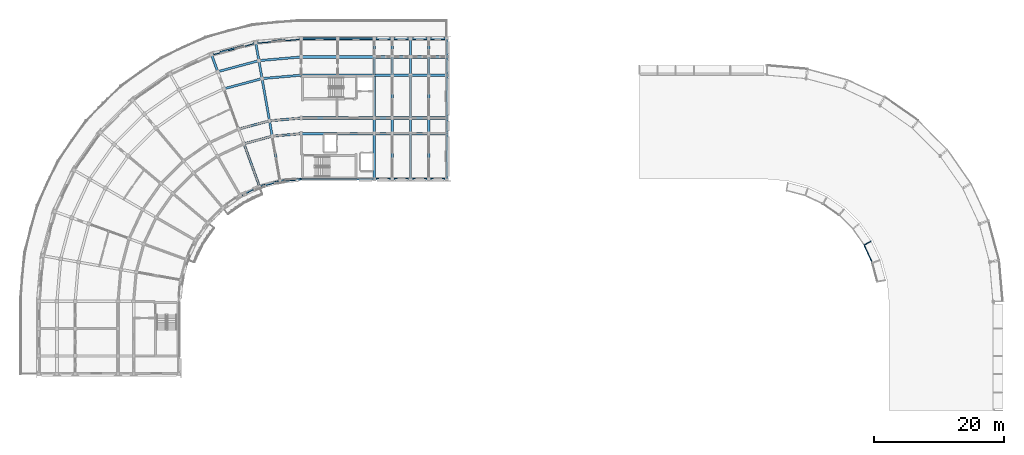
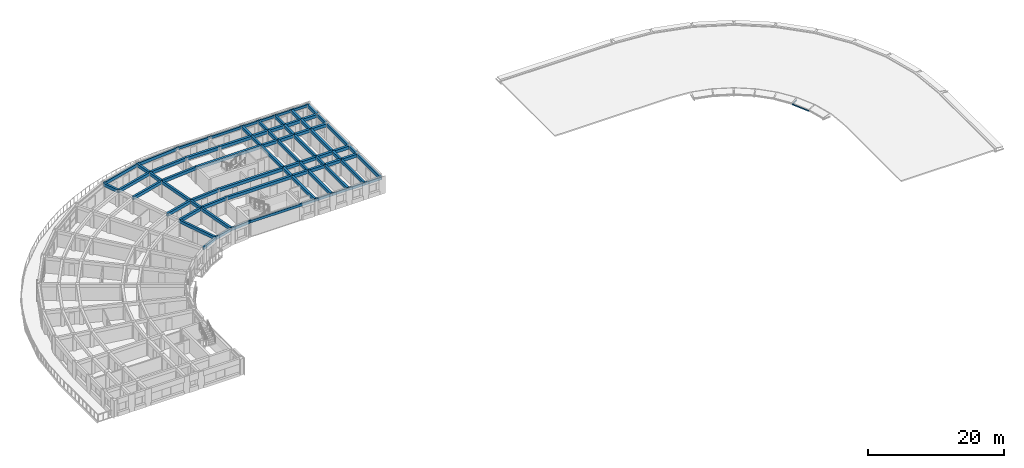
# One storey, part 4 of 23: 78 beams, 1 member.
"""IFC4 building model written with IfcOpenShell, lengths in metres."""

from ifc_helpers import new_model, si_unit, direction, frame, origin, origin_2d, place, context, subcontext, project, spatial, rectangle, hollow_rectangle, i_section, extrude, material, material_profile, profile_set, type_object, element, save


model = new_model("IFC4")

# Units and contexts
model_context = context("Model", 3, precision=1e-05, world=origin(), true_north=direction((0.0, 1.0)))
body_context = subcontext(model_context, "Body", "Model", "MODEL_VIEW")
ifc_project = project(units=[si_unit("LENGTHUNIT", "METRE"), si_unit("AREAUNIT", "SQUARE_METRE"), si_unit("VOLUMEUNIT", "CUBIC_METRE"), si_unit("PLANEANGLEUNIT", "RADIAN"), si_unit("MASSUNIT", "GRAM", prefix="KILO")], contexts=[model_context])

# Site, building, storey
site_placement = place(None, origin())
site = spatial("IfcSite", under=ifc_project, at=site_placement, CompositionType="ELEMENT")
building_placement = place(site_placement, origin())
building = spatial("IfcBuilding", under=site, at=building_placement, Name="Kiranvali Square Residences", CompositionType="ELEMENT")
storey_placement = place(building_placement, frame((0.0, 0.0, 43.35009765625)))
storey = spatial("IfcBuildingStorey", under=building, at=storey_placement, Name="L13", CompositionType="ELEMENT", Elevation=43.35009765625)

# Beams
ifc_material_1 = material(Name="Concrete M40 (40 MPa)", Category="concrete")
ifc_material_profile_1 = material_profile(ifc_material_1, rectangle(XDim=0.35009765625, YDim=0.550048828125, at=origin_2d()), Name="RC 350x550")
ifc_profile_set_1 = profile_set([ifc_material_profile_1], Name="Concrete M40 (40 MPa)")
beam_type_1 = type_object("IfcBeamType", Name="BM-M40-350x550", PredefinedType="BEAM", material=ifc_profile_set_1)
beam_1_placement = place(storey_placement, frame((48.199951171875, 113.60009765625, 2.65478515625), z_axis=(-0.996191949488, -0.087187153726, 0.0), x_axis=(0.087187153726, -0.996191949488, 0.0)))
element("IfcBeam", 1, at=beam_1_placement, inside=storey, type_object=beam_type_1, Name="L13 beam BM-A-L13-C00-R1", PredefinedType="BEAM", context=body_context, shape_type="SweptSolid", body=[
    extrude(rectangle(XDim=0.35009765625, YDim=0.550048828125, at=origin_2d()), origin(), (0.0, 0.0, 1.0), 4.4970703125),
])
beam_2_placement = place(storey_placement, frame((48.199951171875, 116.0, 2.65478515625), z_axis=(-0.996193663584, -0.087167566415, 0.0), x_axis=(0.087167566415, -0.996193663584, 0.0)))
element("IfcBeam", 2, at=beam_2_placement, inside=storey, type_object=beam_type_1, Name="L13 beam BM-A-L13-C00-R2", PredefinedType="BEAM", context=body_context, shape_type="SweptSolid", body=[
    extrude(rectangle(XDim=0.35009765625, YDim=0.550048828125, at=origin_2d()), origin(), (0.0, 0.0, 1.0), 4.91552734375),
])
beam_3_placement = place(storey_placement, frame((48.199951171875, 122.60009765625, 2.65478515625), z_axis=(-0.996193018494, -0.087174938512, 0.0), x_axis=(0.087174938512, -0.996193018494, 0.0)))
element("IfcBeam", 3, at=beam_3_placement, inside=storey, type_object=beam_type_1, Name="L13 beam BM-A-L13-C00-R3", PredefinedType="BEAM", context=body_context, shape_type="SweptSolid", body=[
    extrude(rectangle(XDim=0.35009765625, YDim=0.550048828125, at=origin_2d()), origin(), (0.0, 0.0, 1.0), 6.066162109375),
])
beam_4_placement = place(storey_placement, frame((48.199951171875, 125.39990234375, 2.65478515625), z_axis=(-0.996196991902, -0.0871295204, 0.0), x_axis=(0.0871295204, -0.996196991902, 0.0)))
element("IfcBeam", 4, at=beam_4_placement, inside=storey, type_object=beam_type_1, Name="L13 beam BM-A-L13-C00-R4", PredefinedType="BEAM", context=body_context, shape_type="SweptSolid", body=[
    extrude(rectangle(XDim=0.35009765625, YDim=0.550048828125, at=origin_2d()), origin(), (0.0, 0.0, 1.0), 6.553955078125),
])
beam_5_placement = place(storey_placement, frame((43.719970703125, 113.2080078125, 2.65478515625), z_axis=(-0.965934240054, -0.258787642463, 0.0), x_axis=(0.258787642463, -0.965934240054, 0.0)))
element("IfcBeam", 5, at=beam_5_placement, inside=storey, type_object=beam_type_1, Name="L13 beam BM-A-L13-C01-R1", PredefinedType="BEAM", context=body_context, shape_type="SweptSolid", body=[
    extrude(rectangle(XDim=0.35009765625, YDim=0.550048828125, at=origin_2d()), origin(), (0.0, 0.0, 1.0), 4.497314453125),
])
beam_6_placement = place(storey_placement, frame((43.30322265625, 115.571533203125, 2.65478515625), z_axis=(-0.965930095386, -0.258803112091, 0.0), x_axis=(0.258803112091, -0.965930095386, 0.0)))
element("IfcBeam", 6, at=beam_6_placement, inside=storey, type_object=beam_type_1, Name="L13 beam BM-A-L13-C01-R2", PredefinedType="BEAM", context=body_context, shape_type="SweptSolid", body=[
    extrude(rectangle(XDim=0.35009765625, YDim=0.550048828125, at=origin_2d()), origin(), (0.0, 0.0, 1.0), 4.915771484375),
])
beam_7_placement = place(storey_placement, frame((42.156982421875, 122.0712890625, 2.65478515625), z_axis=(-0.965923618901, -0.258827283048, 0.0), x_axis=(0.258827283048, -0.965923618901, 0.0)))
element("IfcBeam", 7, at=beam_7_placement, inside=storey, type_object=beam_type_1, Name="L13 beam BM-A-L13-C01-R3", PredefinedType="BEAM", context=body_context, shape_type="SweptSolid", body=[
    extrude(rectangle(XDim=0.35009765625, YDim=0.550048828125, at=origin_2d()), origin(), (0.0, 0.0, 1.0), 6.066162109375),
])
beam_8_placement = place(storey_placement, frame((41.6708984375, 124.828857421875, 2.65478515625), z_axis=(-0.965918287583, -0.258847178297, 0.0), x_axis=(0.258847178297, -0.965918287583, 0.0)))
element("IfcBeam", 8, at=beam_8_placement, inside=storey, type_object=beam_type_1, Name="L13 beam BM-A-L13-C01-R4", PredefinedType="BEAM", context=body_context, shape_type="SweptSolid", body=[
    extrude(rectangle(XDim=0.35009765625, YDim=0.550048828125, at=origin_2d()), origin(), (0.0, 0.0, 1.0), 6.55419921875),
])
beam_9_placement = place(storey_placement, frame((44.935302734375, 106.314453125, 2.65478515625), z_axis=(-0.173622177865, 0.984812337125, 0.0), x_axis=(-0.984812337125, -0.173622177865, 0.0)))
element("IfcBeam", 9, at=beam_9_placement, inside=storey, type_object=beam_type_1, Name="L13 beam BM-A-L13-RAD01-01", PredefinedType="BEAM", context=body_context, shape_type="SweptSolid", body=[
    extrude(rectangle(XDim=0.35009765625, YDim=0.550048828125, at=origin_2d()), origin(), (0.0, 0.0, 1.0), 6.999755859375),
])
beam_10_placement = place(storey_placement, frame((43.719970703125, 113.2080078125, 2.65478515625), z_axis=(-0.173646056486, 0.984808127031, 0.0), x_axis=(-0.984808127031, -0.173646056486, 0.0)))
element("IfcBeam", 10, at=beam_10_placement, inside=storey, type_object=beam_type_1, Name="L13 beam BM-A-L13-RAD01-12", PredefinedType="BEAM", context=body_context, shape_type="SweptSolid", body=[
    extrude(rectangle(XDim=0.35009765625, YDim=0.550048828125, at=origin_2d()), origin(), (0.0, 0.0, 1.0), 2.39990234375),
])
beam_11_placement = place(storey_placement, frame((43.30322265625, 115.571533203125, 2.65478515625), z_axis=(-0.173671381499, 0.984803661269, 0.0), x_axis=(-0.984803661269, -0.173671381499, 0.0)))
element("IfcBeam", 11, at=beam_11_placement, inside=storey, type_object=beam_type_1, Name="L13 beam BM-A-L13-RAD01-23", PredefinedType="BEAM", context=body_context, shape_type="SweptSolid", body=[
    extrude(rectangle(XDim=0.35009765625, YDim=0.550048828125, at=origin_2d()), origin(), (0.0, 0.0, 1.0), 6.60009765625),
])
beam_12_placement = place(storey_placement, frame((42.156982421875, 122.0712890625, 2.65478515625), z_axis=(-0.173596320392, 0.984816895441, 0.0), x_axis=(-0.984816895441, -0.173596320392, 0.0)))
element("IfcBeam", 12, at=beam_12_placement, inside=storey, type_object=beam_type_1, Name="L13 beam BM-A-L13-RAD01-34", PredefinedType="BEAM", context=body_context, shape_type="SweptSolid", body=[
    extrude(rectangle(XDim=0.35009765625, YDim=0.550048828125, at=origin_2d()), origin(), (0.0, 0.0, 1.0), 2.800048828125),
])
beam_13_placement = place(storey_placement, frame((41.6708984375, 124.828857421875, 2.69482421875), z_axis=(-0.173695795656, 0.984799355489, 0.0), x_axis=(-0.984799355489, -0.173695795656, 0.0)))
element("IfcBeam", 13, at=beam_13_placement, inside=storey, type_object=beam_type_1, Name="L13 beam BM-A-L13-RAD01-45", PredefinedType="BEAM", context=body_context, shape_type="SweptSolid", body=[
    extrude(rectangle(XDim=0.35009765625, YDim=0.550048828125, at=origin_2d()), origin(), (0.0, 0.0, 1.0), 2.7998046875),
])
beam_14_placement = place(storey_placement, frame((41.77001953125, 105.46630859375, 2.65478515625), z_axis=(-0.342006283793, 0.939697665127, 0.0), x_axis=(-0.939697665127, -0.342006283793, 0.0)))
element("IfcBeam", 14, at=beam_14_placement, inside=storey, type_object=beam_type_1, Name="L13 beam BM-A-L13-RAD02-01", PredefinedType="BEAM", context=body_context, shape_type="SweptSolid", body=[
    extrude(rectangle(XDim=0.35009765625, YDim=0.550048828125, at=origin_2d()), origin(), (0.0, 0.0, 1.0), 7.0),
])
beam_15_placement = place(storey_placement, frame((35.340087890625, 123.13232421875, 2.69482421875), z_axis=(-0.342030060398, 0.939689011208, 0.0), x_axis=(-0.939689011208, -0.342030060398, 0.0)))
element("IfcBeam", 15, at=beam_15_placement, inside=storey, type_object=beam_type_1, Name="L13 beam BM-A-L13-RAD02-45", PredefinedType="BEAM", context=body_context, shape_type="SweptSolid", body=[
    extrude(rectangle(XDim=0.35009765625, YDim=0.550048828125, at=origin_2d()), origin(), (0.0, 0.0, 1.0), 2.80029296875),
])
beam_16_placement = place(storey_placement, frame((59.39990234375, 106.60009765625, 2.65478515625), z_axis=(0.0, 1.0, 0.0), x_axis=(-1.0, 0.0, 0.0)))
element("IfcBeam", 16, at=beam_16_placement, inside=storey, type_object=beam_type_1, Name="L13 beam BM-A-L13-A1T1-01", PredefinedType="BEAM", context=body_context, shape_type="SweptSolid", body=[
    extrude(rectangle(XDim=0.35009765625, YDim=0.550048828125, at=origin_2d()), origin(), (0.0, 0.0, 1.0), 7.0),
])
beam_17_placement = place(storey_placement, frame((59.39990234375, 113.60009765625, 2.65478515625), z_axis=(0.0, 1.0, 0.0), x_axis=(-1.0, 0.0, 0.0)))
element("IfcBeam", 17, at=beam_17_placement, inside=storey, type_object=beam_type_1, Name="L13 beam BM-A-L13-A1T1-12", PredefinedType="BEAM", context=body_context, shape_type="SweptSolid", body=[
    extrude(rectangle(XDim=0.35009765625, YDim=0.550048828125, at=origin_2d()), origin(), (0.0, 0.0, 1.0), 2.39990234375),
])
beam_18_placement = place(storey_placement, frame((59.39990234375, 116.0, 2.65478515625), z_axis=(0.0, 1.0, 0.0), x_axis=(-1.0, 0.0, 0.0)))
element("IfcBeam", 18, at=beam_18_placement, inside=storey, type_object=beam_type_1, Name="L13 beam BM-A-L13-A1T1-23", PredefinedType="BEAM", context=body_context, shape_type="SweptSolid", body=[
    extrude(rectangle(XDim=0.35009765625, YDim=0.550048828125, at=origin_2d()), origin(), (0.0, 0.0, 1.0), 6.60009765625),
])
beam_19_placement = place(storey_placement, frame((59.39990234375, 122.60009765625, 2.65478515625), z_axis=(0.0, 1.0, 0.0), x_axis=(-1.0, 0.0, 0.0)))
element("IfcBeam", 19, at=beam_19_placement, inside=storey, type_object=beam_type_1, Name="L13 beam BM-A-L13-A1T1-34", PredefinedType="BEAM", context=body_context, shape_type="SweptSolid", body=[
    extrude(rectangle(XDim=0.35009765625, YDim=0.550048828125, at=origin_2d()), origin(), (0.0, 0.0, 1.0), 2.7998046875),
])
beam_20_placement = place(storey_placement, frame((59.39990234375, 125.39990234375, 2.69482421875), z_axis=(0.0, 1.0, 0.0), x_axis=(-1.0, 0.0, 0.0)))
element("IfcBeam", 20, at=beam_20_placement, inside=storey, type_object=beam_type_1, Name="L13 beam BM-A-L13-A1T1-45", PredefinedType="BEAM", context=body_context, shape_type="SweptSolid", body=[
    extrude(rectangle(XDim=0.35009765625, YDim=0.550048828125, at=origin_2d()), origin(), (0.0, 0.0, 1.0), 2.800048828125),
])
beam_21_placement = place(storey_placement, frame((62.199951171875, 106.60009765625, 2.65478515625), z_axis=(0.0, 1.0, 0.0), x_axis=(-1.0, 0.0, 0.0)))
element("IfcBeam", 21, at=beam_21_placement, inside=storey, type_object=beam_type_1, Name="L13 beam BM-A-L13-A1T2-01", PredefinedType="BEAM", context=body_context, shape_type="SweptSolid", body=[
    extrude(rectangle(XDim=0.35009765625, YDim=0.550048828125, at=origin_2d()), origin(), (0.0, 0.0, 1.0), 7.0),
])
beam_22_placement = place(storey_placement, frame((62.199951171875, 113.60009765625, 2.65478515625), z_axis=(0.0, 1.0, 0.0), x_axis=(-1.0, 0.0, 0.0)))
element("IfcBeam", 22, at=beam_22_placement, inside=storey, type_object=beam_type_1, Name="L13 beam BM-A-L13-A1T2-12", PredefinedType="BEAM", context=body_context, shape_type="SweptSolid", body=[
    extrude(rectangle(XDim=0.35009765625, YDim=0.550048828125, at=origin_2d()), origin(), (0.0, 0.0, 1.0), 2.39990234375),
])
beam_23_placement = place(storey_placement, frame((62.199951171875, 116.0, 2.65478515625), z_axis=(0.0, 1.0, 0.0), x_axis=(-1.0, 0.0, 0.0)))
element("IfcBeam", 23, at=beam_23_placement, inside=storey, type_object=beam_type_1, Name="L13 beam BM-A-L13-A1T2-23", PredefinedType="BEAM", context=body_context, shape_type="SweptSolid", body=[
    extrude(rectangle(XDim=0.35009765625, YDim=0.550048828125, at=origin_2d()), origin(), (0.0, 0.0, 1.0), 6.60009765625),
])
beam_24_placement = place(storey_placement, frame((62.199951171875, 122.60009765625, 2.65478515625), z_axis=(0.0, 1.0, 0.0), x_axis=(-1.0, 0.0, 0.0)))
element("IfcBeam", 24, at=beam_24_placement, inside=storey, type_object=beam_type_1, Name="L13 beam BM-A-L13-A1T2-34", PredefinedType="BEAM", context=body_context, shape_type="SweptSolid", body=[
    extrude(rectangle(XDim=0.35009765625, YDim=0.550048828125, at=origin_2d()), origin(), (0.0, 0.0, 1.0), 2.7998046875),
])
beam_25_placement = place(storey_placement, frame((62.199951171875, 125.39990234375, 2.69482421875), z_axis=(0.0, 1.0, 0.0), x_axis=(-1.0, 0.0, 0.0)))
element("IfcBeam", 25, at=beam_25_placement, inside=storey, type_object=beam_type_1, Name="L13 beam BM-A-L13-A1T2-45", PredefinedType="BEAM", context=body_context, shape_type="SweptSolid", body=[
    extrude(rectangle(XDim=0.35009765625, YDim=0.550048828125, at=origin_2d()), origin(), (0.0, 0.0, 1.0), 2.800048828125),
])
beam_26_placement = place(storey_placement, frame((65.0, 106.60009765625, 2.65478515625), z_axis=(0.0, 1.0, 0.0), x_axis=(-1.0, 0.0, 0.0)))
element("IfcBeam", 26, at=beam_26_placement, inside=storey, type_object=beam_type_1, Name="L13 beam BM-A-L13-A1T3-01", PredefinedType="BEAM", context=body_context, shape_type="SweptSolid", body=[
    extrude(rectangle(XDim=0.35009765625, YDim=0.550048828125, at=origin_2d()), origin(), (0.0, 0.0, 1.0), 7.0),
])
beam_27_placement = place(storey_placement, frame((65.0, 113.60009765625, 2.65478515625), z_axis=(0.0, 1.0, 0.0), x_axis=(-1.0, 0.0, 0.0)))
element("IfcBeam", 27, at=beam_27_placement, inside=storey, type_object=beam_type_1, Name="L13 beam BM-A-L13-A1T3-12", PredefinedType="BEAM", context=body_context, shape_type="SweptSolid", body=[
    extrude(rectangle(XDim=0.35009765625, YDim=0.550048828125, at=origin_2d()), origin(), (0.0, 0.0, 1.0), 2.39990234375),
])
beam_28_placement = place(storey_placement, frame((65.0, 116.0, 2.65478515625), z_axis=(0.0, 1.0, 0.0), x_axis=(-1.0, 0.0, 0.0)))
element("IfcBeam", 28, at=beam_28_placement, inside=storey, type_object=beam_type_1, Name="L13 beam BM-A-L13-A1T3-23", PredefinedType="BEAM", context=body_context, shape_type="SweptSolid", body=[
    extrude(rectangle(XDim=0.35009765625, YDim=0.550048828125, at=origin_2d()), origin(), (0.0, 0.0, 1.0), 6.60009765625),
])
beam_29_placement = place(storey_placement, frame((65.0, 122.60009765625, 2.65478515625), z_axis=(0.0, 1.0, 0.0), x_axis=(-1.0, 0.0, 0.0)))
element("IfcBeam", 29, at=beam_29_placement, inside=storey, type_object=beam_type_1, Name="L13 beam BM-A-L13-A1T3-34", PredefinedType="BEAM", context=body_context, shape_type="SweptSolid", body=[
    extrude(rectangle(XDim=0.35009765625, YDim=0.550048828125, at=origin_2d()), origin(), (0.0, 0.0, 1.0), 2.7998046875),
])
beam_30_placement = place(storey_placement, frame((65.0, 125.39990234375, 2.69482421875), z_axis=(0.0, 1.0, 0.0), x_axis=(-1.0, 0.0, 0.0)))
element("IfcBeam", 30, at=beam_30_placement, inside=storey, type_object=beam_type_1, Name="L13 beam BM-A-L13-A1T3-45", PredefinedType="BEAM", context=body_context, shape_type="SweptSolid", body=[
    extrude(rectangle(XDim=0.35009765625, YDim=0.550048828125, at=origin_2d()), origin(), (0.0, 0.0, 1.0), 2.800048828125),
])
beam_31_placement = place(storey_placement, frame((67.800048828125, 106.60009765625, 2.65478515625), z_axis=(0.0, 1.0, 0.0), x_axis=(-1.0, 0.0, 0.0)))
element("IfcBeam", 31, at=beam_31_placement, inside=storey, type_object=beam_type_1, Name="L13 beam BM-A-L13-A1T4-01", PredefinedType="BEAM", context=body_context, shape_type="SweptSolid", body=[
    extrude(rectangle(XDim=0.35009765625, YDim=0.550048828125, at=origin_2d()), origin(), (0.0, 0.0, 1.0), 7.0),
])
beam_32_placement = place(storey_placement, frame((67.800048828125, 113.60009765625, 2.65478515625), z_axis=(0.0, 1.0, 0.0), x_axis=(-1.0, 0.0, 0.0)))
element("IfcBeam", 32, at=beam_32_placement, inside=storey, type_object=beam_type_1, Name="L13 beam BM-A-L13-A1T4-12", PredefinedType="BEAM", context=body_context, shape_type="SweptSolid", body=[
    extrude(rectangle(XDim=0.35009765625, YDim=0.550048828125, at=origin_2d()), origin(), (0.0, 0.0, 1.0), 2.39990234375),
])
beam_33_placement = place(storey_placement, frame((67.800048828125, 116.0, 2.65478515625), z_axis=(0.0, 1.0, 0.0), x_axis=(-1.0, 0.0, 0.0)))
element("IfcBeam", 33, at=beam_33_placement, inside=storey, type_object=beam_type_1, Name="L13 beam BM-A-L13-A1T4-23", PredefinedType="BEAM", context=body_context, shape_type="SweptSolid", body=[
    extrude(rectangle(XDim=0.35009765625, YDim=0.550048828125, at=origin_2d()), origin(), (0.0, 0.0, 1.0), 6.60009765625),
])
beam_34_placement = place(storey_placement, frame((67.800048828125, 122.60009765625, 2.65478515625), z_axis=(0.0, 1.0, 0.0), x_axis=(-1.0, 0.0, 0.0)))
element("IfcBeam", 34, at=beam_34_placement, inside=storey, type_object=beam_type_1, Name="L13 beam BM-A-L13-A1T4-34", PredefinedType="BEAM", context=body_context, shape_type="SweptSolid", body=[
    extrude(rectangle(XDim=0.35009765625, YDim=0.550048828125, at=origin_2d()), origin(), (0.0, 0.0, 1.0), 2.7998046875),
])
beam_35_placement = place(storey_placement, frame((67.800048828125, 125.39990234375, 2.69482421875), z_axis=(0.0, 1.0, 0.0), x_axis=(-1.0, 0.0, 0.0)))
element("IfcBeam", 35, at=beam_35_placement, inside=storey, type_object=beam_type_1, Name="L13 beam BM-A-L13-A1T4-45", PredefinedType="BEAM", context=body_context, shape_type="SweptSolid", body=[
    extrude(rectangle(XDim=0.35009765625, YDim=0.550048828125, at=origin_2d()), origin(), (0.0, 0.0, 1.0), 2.800048828125),
])
beam_36_placement = place(storey_placement, frame((70.60009765625, 106.60009765625, 2.65478515625), z_axis=(0.0, 1.0, 0.0), x_axis=(-1.0, 0.0, 0.0)))
element("IfcBeam", 36, at=beam_36_placement, inside=storey, type_object=beam_type_1, Name="L13 beam BM-A-L13-A1T5-01", PredefinedType="BEAM", context=body_context, shape_type="SweptSolid", body=[
    extrude(rectangle(XDim=0.35009765625, YDim=0.550048828125, at=origin_2d()), origin(), (0.0, 0.0, 1.0), 7.0),
])
beam_37_placement = place(storey_placement, frame((70.60009765625, 113.60009765625, 2.65478515625), z_axis=(0.0, 1.0, 0.0), x_axis=(-1.0, 0.0, 0.0)))
element("IfcBeam", 37, at=beam_37_placement, inside=storey, type_object=beam_type_1, Name="L13 beam BM-A-L13-A1T5-12", PredefinedType="BEAM", context=body_context, shape_type="SweptSolid", body=[
    extrude(rectangle(XDim=0.35009765625, YDim=0.550048828125, at=origin_2d()), origin(), (0.0, 0.0, 1.0), 2.39990234375),
])
beam_38_placement = place(storey_placement, frame((70.60009765625, 116.0, 2.65478515625), z_axis=(0.0, 1.0, 0.0), x_axis=(-1.0, 0.0, 0.0)))
element("IfcBeam", 38, at=beam_38_placement, inside=storey, type_object=beam_type_1, Name="L13 beam BM-A-L13-A1T5-23", PredefinedType="BEAM", context=body_context, shape_type="SweptSolid", body=[
    extrude(rectangle(XDim=0.35009765625, YDim=0.550048828125, at=origin_2d()), origin(), (0.0, 0.0, 1.0), 6.60009765625),
])
beam_39_placement = place(storey_placement, frame((70.60009765625, 122.60009765625, 2.65478515625), z_axis=(0.0, 1.0, 0.0), x_axis=(-1.0, 0.0, 0.0)))
element("IfcBeam", 39, at=beam_39_placement, inside=storey, type_object=beam_type_1, Name="L13 beam BM-A-L13-A1T5-34", PredefinedType="BEAM", context=body_context, shape_type="SweptSolid", body=[
    extrude(rectangle(XDim=0.35009765625, YDim=0.550048828125, at=origin_2d()), origin(), (0.0, 0.0, 1.0), 2.7998046875),
])
beam_40_placement = place(storey_placement, frame((70.60009765625, 125.39990234375, 2.69482421875), z_axis=(0.0, 1.0, 0.0), x_axis=(-1.0, 0.0, 0.0)))
element("IfcBeam", 40, at=beam_40_placement, inside=storey, type_object=beam_type_1, Name="L13 beam BM-A-L13-A1T5-45", PredefinedType="BEAM", context=body_context, shape_type="SweptSolid", body=[
    extrude(rectangle(XDim=0.35009765625, YDim=0.550048828125, at=origin_2d()), origin(), (0.0, 0.0, 1.0), 2.800048828125),
])
ifc_material_2 = material(Name="Concrete M45 (45 MPa)", Category="concrete")
ifc_material_profile_2 = material_profile(ifc_material_2, rectangle(XDim=0.39990234375, YDim=0.550048828125, at=origin_2d()), Name="RC 400x550")
ifc_profile_set_2 = profile_set([ifc_material_profile_2], Name="Concrete M45 (45 MPa)")
beam_type_2 = type_object("IfcBeamType", Name="BM-M45-400x550", PredefinedType="BEAM", material=ifc_profile_set_2)
beam_41_placement = place(storey_placement, frame((48.199951171875, 113.60009765625, 2.65478515625), z_axis=(1.0, 0.0, 0.0), x_axis=(0.0, 1.0, 0.0)))
element("IfcBeam", 41, at=beam_41_placement, inside=storey, type_object=beam_type_2, Name="L13 beam BM-A-L13-A1U0-R1", PredefinedType="BEAM", context=body_context, shape_type="SweptSolid", body=[
    extrude(rectangle(XDim=0.39990234375, YDim=0.550048828125, at=origin_2d()), origin(), (0.0, 0.0, 1.0), 11.199951171875),
])
for number, where, z_axis, x_axis, name in (
    (42, (59.39990234375, 113.60009765625, 2.65478515625), (1.0, 0.0, 0.0), (0.0, 1.0, 0.0), "L13 beam BM-A-L13-A1U1-R1"),
    (43, (62.199951171875, 113.60009765625, 2.65478515625), (1.0, 0.0, 0.0), (0.0, 1.0, 0.0), "L13 beam BM-A-L13-A1U2-R1"),
    (44, (65.0, 113.60009765625, 2.65478515625), (1.0, 0.0, 0.0), (0.0, 1.0, 0.0), "L13 beam BM-A-L13-A1U3-R1"),
    (45, (67.800048828125, 113.60009765625, 2.65478515625), (1.0, 0.0, 0.0), (0.0, 1.0, 0.0), "L13 beam BM-A-L13-A1U4-R1"),
):
    element("IfcBeam", number, at=place(storey_placement, frame(where, z_axis=z_axis, x_axis=x_axis)), inside=storey, type_object=beam_type_2, Name=name, PredefinedType="BEAM", context=body_context, shape_type="SweptSolid", body=[
        extrude(rectangle(XDim=0.39990234375, YDim=0.550048828125, at=origin_2d()), origin(), (0.0, 0.0, 1.0), 2.800048828125),
    ])
beam_42_placement = place(storey_placement, frame((48.199951171875, 116.0, 2.65478515625), z_axis=(1.0, 0.0, 0.0), x_axis=(0.0, 1.0, 0.0)))
element("IfcBeam", 46, at=beam_42_placement, inside=storey, type_object=beam_type_2, Name="L13 beam BM-A-L13-A1U0-R2", PredefinedType="BEAM", context=body_context, shape_type="SweptSolid", body=[
    extrude(rectangle(XDim=0.39990234375, YDim=0.550048828125, at=origin_2d()), origin(), (0.0, 0.0, 1.0), 11.199951171875),
])
for number, where, z_axis, x_axis, name in (
    (47, (59.39990234375, 116.0, 2.65478515625), (1.0, 0.0, 0.0), (0.0, 1.0, 0.0), "L13 beam BM-A-L13-A1U1-R2"),
    (48, (62.199951171875, 116.0, 2.65478515625), (1.0, 0.0, 0.0), (0.0, 1.0, 0.0), "L13 beam BM-A-L13-A1U2-R2"),
    (49, (65.0, 116.0, 2.65478515625), (1.0, 0.0, 0.0), (0.0, 1.0, 0.0), "L13 beam BM-A-L13-A1U3-R2"),
    (50, (67.800048828125, 116.0, 2.65478515625), (1.0, 0.0, 0.0), (0.0, 1.0, 0.0), "L13 beam BM-A-L13-A1U4-R2"),
):
    element("IfcBeam", number, at=place(storey_placement, frame(where, z_axis=z_axis, x_axis=x_axis)), inside=storey, type_object=beam_type_2, Name=name, PredefinedType="BEAM", context=body_context, shape_type="SweptSolid", body=[
        extrude(rectangle(XDim=0.39990234375, YDim=0.550048828125, at=origin_2d()), origin(), (0.0, 0.0, 1.0), 2.800048828125),
    ])
beam_43_placement = place(storey_placement, frame((48.199951171875, 122.60009765625, 2.65478515625), z_axis=(1.0, 0.0, 0.0), x_axis=(0.0, 1.0, 0.0)))
element("IfcBeam", 51, at=beam_43_placement, inside=storey, type_object=beam_type_2, Name="L13 beam BM-A-L13-A1U0-R3", PredefinedType="BEAM", context=body_context, shape_type="SweptSolid", body=[
    extrude(rectangle(XDim=0.39990234375, YDim=0.550048828125, at=origin_2d()), origin(), (0.0, 0.0, 1.0), 11.199951171875),
])
for number, where, z_axis, x_axis, name in (
    (52, (59.39990234375, 122.60009765625, 2.65478515625), (1.0, 0.0, 0.0), (0.0, 1.0, 0.0), "L13 beam BM-A-L13-A1U1-R3"),
    (53, (62.199951171875, 122.60009765625, 2.65478515625), (1.0, 0.0, 0.0), (0.0, 1.0, 0.0), "L13 beam BM-A-L13-A1U2-R3"),
    (54, (65.0, 122.60009765625, 2.65478515625), (1.0, 0.0, 0.0), (0.0, 1.0, 0.0), "L13 beam BM-A-L13-A1U3-R3"),
    (55, (67.800048828125, 122.60009765625, 2.65478515625), (1.0, 0.0, 0.0), (0.0, 1.0, 0.0), "L13 beam BM-A-L13-A1U4-R3"),
):
    element("IfcBeam", number, at=place(storey_placement, frame(where, z_axis=z_axis, x_axis=x_axis)), inside=storey, type_object=beam_type_2, Name=name, PredefinedType="BEAM", context=body_context, shape_type="SweptSolid", body=[
        extrude(rectangle(XDim=0.39990234375, YDim=0.550048828125, at=origin_2d()), origin(), (0.0, 0.0, 1.0), 2.800048828125),
    ])
beam_44_placement = place(storey_placement, frame((48.199951171875, 125.39990234375, 2.65478515625), z_axis=(1.0, 0.0, 0.0), x_axis=(0.0, 1.0, 0.0)))
element("IfcBeam", 56, at=beam_44_placement, inside=storey, type_object=beam_type_2, Name="L13 beam BM-A-L13-A1U0-R4", PredefinedType="BEAM", context=body_context, shape_type="SweptSolid", body=[
    extrude(rectangle(XDim=0.39990234375, YDim=0.550048828125, at=origin_2d()), origin(), (0.0, 0.0, 1.0), 5.60009765625),
])
beam_45_placement = place(storey_placement, frame((53.800048828125, 125.39990234375, 2.65478515625), z_axis=(1.0, 0.0, 0.0), x_axis=(0.0, 1.0, 0.0)))
element("IfcBeam", 57, at=beam_45_placement, inside=storey, type_object=beam_type_2, Name="L13 beam BM-A-L13-A1U1-R4", PredefinedType="BEAM", context=body_context, shape_type="SweptSolid", body=[
    extrude(rectangle(XDim=0.39990234375, YDim=0.550048828125, at=origin_2d()), origin(), (0.0, 0.0, 1.0), 5.599853515625),
])
for number, where, z_axis, x_axis, name in (
    (58, (59.39990234375, 125.39990234375, 2.65478515625), (1.0, 0.0, 0.0), (0.0, 1.0, 0.0), "L13 beam BM-A-L13-A1U2-R4"),
    (59, (62.199951171875, 125.39990234375, 2.65478515625), (1.0, 0.0, 0.0), (0.0, 1.0, 0.0), "L13 beam BM-A-L13-A1U3-R4"),
    (60, (65.0, 125.39990234375, 2.65478515625), (1.0, 0.0, 0.0), (0.0, 1.0, 0.0), "L13 beam BM-A-L13-A1U4-R4"),
    (61, (67.800048828125, 125.39990234375, 2.65478515625), (1.0, 0.0, 0.0), (0.0, 1.0, 0.0), "L13 beam BM-A-L13-A1U5-R4"),
):
    element("IfcBeam", number, at=place(storey_placement, frame(where, z_axis=z_axis, x_axis=x_axis)), inside=storey, type_object=beam_type_2, Name=name, PredefinedType="BEAM", context=body_context, shape_type="SweptSolid", body=[
        extrude(rectangle(XDim=0.39990234375, YDim=0.550048828125, at=origin_2d()), origin(), (0.0, 0.0, 1.0), 2.800048828125),
    ])

# Member
ifc_material_3 = material(Name="Structural steel E350", Category="steel")
ifc_material_profile_3 = material_profile(ifc_material_3, hollow_rectangle(XDim=0.10009765625, YDim=0.199951171875, WallThickness=0.006103515625, at=origin_2d()), Name="RHS 200x100x6.0")
ifc_profile_set_3 = profile_set([ifc_material_profile_3], Name="Structural steel E350")
member_type = type_object("IfcMemberType", Name="MEM-RHS200", PredefinedType="PURLIN", material=ifc_profile_set_3)
member_placement = place(storey_placement, frame((134.7822265625, 96.449951171875, -0.340087890625), z_axis=(0.422628375094, -0.906303071034, 0.0), x_axis=(0.906303071034, 0.422628375094, 0.0)))
element("IfcMember", 62, at=member_placement, inside=storey, type_object=member_type, Name="Block B inner garden eave fascia purlin 7", PredefinedType="PURLIN", context=body_context, shape_type="SweptSolid", body=[
    extrude(hollow_rectangle(XDim=0.10009765625, YDim=0.199951171875, WallThickness=0.006103515625, at=origin_2d()), origin(), (0.0, 0.0, 1.0), 3.015380859375),
])

# Beams
ifc_material_profile_4 = material_profile(ifc_material_3, i_section(OverallWidth=0.10009765625, OverallDepth=0.199951171875, WebThickness=0.005615234375, FlangeThickness=0.0107421875, at=origin_2d()), Name="ISMB 200")
ifc_profile_set_4 = profile_set([ifc_material_profile_4], Name="Structural steel E350")
beam_type_3 = type_object("IfcBeamType", Name="SBM-ISMB200", PredefinedType="JOIST", material=ifc_profile_set_4)
beam_46_placement = place(storey_placement, frame((135.890869140625, 97.090087890625, -0.340087890625), z_axis=(-0.866004557827, -0.500036104519, 0.0), x_axis=(0.500036104519, -0.866004557827, 0.0)))
element("IfcBeam", 63, at=beam_46_placement, inside=storey, type_object=beam_type_3, Name="Block B inner garden eave steel joist 7", PredefinedType="JOIST", context=body_context, shape_type="SweptSolid", body=[
    extrude(i_section(OverallWidth=0.10009765625, OverallDepth=0.199951171875, WebThickness=0.005615234375, FlangeThickness=0.0107421875, at=origin_2d()), origin(), (0.0, 0.0, 1.0), 1.2802734375),
])
ifc_material_profile_5 = material_profile(ifc_material_1, rectangle(XDim=0.25, YDim=0.449951171875, at=origin_2d()), Name="RC 250x450")
ifc_profile_set_5 = profile_set([ifc_material_profile_5], Name="Concrete M40 (40 MPa)")
beam_type_4 = type_object("IfcBeamType", Name="SPN-M40-250x450", PredefinedType="SPANDREL", material=ifc_profile_set_5)
beam_47_placement = place(storey_placement, frame((48.199951171875, 106.60009765625, 2.704833984375), z_axis=(1.0, 0.0, 0.0), x_axis=(0.0, 1.0, 0.0)))
element("IfcBeam", 64, at=beam_47_placement, inside=storey, type_object=beam_type_4, Name="L13 beam BM-A-L13-A1U0-R0", PredefinedType="SPANDREL", context=body_context, shape_type="SweptSolid", body=[
    extrude(rectangle(XDim=0.25, YDim=0.449951171875, at=origin_2d()), origin(), (0.0, 0.0, 1.0), 11.199951171875),
])
for number, where, z_axis, x_axis, name in (
    (65, (59.39990234375, 106.60009765625, 2.704833984375), (1.0, 0.0, 0.0), (0.0, 1.0, 0.0), "L13 beam BM-A-L13-A1U1-R0"),
    (66, (62.199951171875, 106.60009765625, 2.704833984375), (1.0, 0.0, 0.0), (0.0, 1.0, 0.0), "L13 beam BM-A-L13-A1U2-R0"),
    (67, (65.0, 106.60009765625, 2.704833984375), (1.0, 0.0, 0.0), (0.0, 1.0, 0.0), "L13 beam BM-A-L13-A1U3-R0"),
    (68, (67.800048828125, 106.60009765625, 2.704833984375), (1.0, 0.0, 0.0), (0.0, 1.0, 0.0), "L13 beam BM-A-L13-A1U4-R0"),
):
    element("IfcBeam", number, at=place(storey_placement, frame(where, z_axis=z_axis, x_axis=x_axis)), inside=storey, type_object=beam_type_4, Name=name, PredefinedType="SPANDREL", context=body_context, shape_type="SweptSolid", body=[
        extrude(rectangle(XDim=0.25, YDim=0.449951171875, at=origin_2d()), origin(), (0.0, 0.0, 1.0), 2.800048828125),
    ])
beam_48_placement = place(storey_placement, frame((48.199951171875, 128.199951171875, 2.744873046875), z_axis=(1.0, 0.0, 0.0), x_axis=(0.0, 1.0, 0.0)))
element("IfcBeam", 69, at=beam_48_placement, inside=storey, type_object=beam_type_4, Name="L13 beam BM-A-L13-A1U0-R5", PredefinedType="SPANDREL", context=body_context, shape_type="SweptSolid", body=[
    extrude(rectangle(XDim=0.25, YDim=0.449951171875, at=origin_2d()), origin(), (0.0, 0.0, 1.0), 5.60009765625),
])
beam_49_placement = place(storey_placement, frame((53.800048828125, 128.199951171875, 2.744873046875), z_axis=(1.0, 0.0, 0.0), x_axis=(0.0, 1.0, 0.0)))
element("IfcBeam", 70, at=beam_49_placement, inside=storey, type_object=beam_type_4, Name="L13 beam BM-A-L13-A1U1-R5", PredefinedType="SPANDREL", context=body_context, shape_type="SweptSolid", body=[
    extrude(rectangle(XDim=0.25, YDim=0.449951171875, at=origin_2d()), origin(), (0.0, 0.0, 1.0), 5.599853515625),
])
for number, where, z_axis, x_axis, name in (
    (71, (59.39990234375, 128.199951171875, 2.744873046875), (1.0, 0.0, 0.0), (0.0, 1.0, 0.0), "L13 beam BM-A-L13-A1U2-R5"),
    (72, (62.199951171875, 128.199951171875, 2.744873046875), (1.0, 0.0, 0.0), (0.0, 1.0, 0.0), "L13 beam BM-A-L13-A1U3-R5"),
    (73, (65.0, 128.199951171875, 2.744873046875), (1.0, 0.0, 0.0), (0.0, 1.0, 0.0), "L13 beam BM-A-L13-A1U4-R5"),
    (74, (67.800048828125, 128.199951171875, 2.744873046875), (1.0, 0.0, 0.0), (0.0, 1.0, 0.0), "L13 beam BM-A-L13-A1U5-R5"),
):
    element("IfcBeam", number, at=place(storey_placement, frame(where, z_axis=z_axis, x_axis=x_axis)), inside=storey, type_object=beam_type_4, Name=name, PredefinedType="SPANDREL", context=body_context, shape_type="SweptSolid", body=[
        extrude(rectangle(XDim=0.25, YDim=0.449951171875, at=origin_2d()), origin(), (0.0, 0.0, 1.0), 2.800048828125),
    ])
ifc_material_profile_6 = material_profile(ifc_material_1, rectangle(XDim=0.25, YDim=0.5, at=origin_2d()), Name="RC 250x500")
ifc_profile_set_6 = profile_set([ifc_material_profile_6], Name="Concrete M40 (40 MPa)")
beam_type_5 = type_object("IfcBeamType", Name="SPN-M40-250x500", PredefinedType="SPANDREL", material=ifc_profile_set_6)
beam_50_placement = place(storey_placement, frame((48.199951171875, 106.60009765625, 2.679931640625), z_axis=(-0.996194040944, -0.087163253657, 0.0), x_axis=(0.087163253657, -0.996194040944, 0.0)))
element("IfcBeam", 75, at=beam_50_placement, inside=storey, type_object=beam_type_5, Name="L13 beam BM-A-L13-C00-R0", PredefinedType="SPANDREL", context=body_context, shape_type="SweptSolid", body=[
    extrude(rectangle(XDim=0.25, YDim=0.5, at=origin_2d()), origin(), (0.0, 0.0, 1.0), 3.277099609375),
])
beam_51_placement = place(storey_placement, frame((44.935302734375, 106.314453125, 2.679931640625), z_axis=(-0.965925105099, -0.258821736607, 0.0), x_axis=(0.258821736607, -0.965925105099, 0.0)))
element("IfcBeam", 76, at=beam_51_placement, inside=storey, type_object=beam_type_5, Name="L13 beam BM-A-L13-C01-R0", PredefinedType="SPANDREL", context=body_context, shape_type="SweptSolid", body=[
    extrude(rectangle(XDim=0.25, YDim=0.5, at=origin_2d()), origin(), (0.0, 0.0, 1.0), 3.27685546875),
])
beam_52_placement = place(storey_placement, frame((41.77001953125, 105.46630859375, 2.679931640625), z_axis=(-0.90629730464, -0.422640740585, 0.0), x_axis=(0.422640740585, -0.90629730464, 0.0)))
element("IfcBeam", 77, at=beam_52_placement, inside=storey, type_object=beam_type_5, Name="L13 beam BM-A-L13-C02-R0", PredefinedType="SPANDREL", context=body_context, shape_type="SweptSolid", body=[
    extrude(rectangle(XDim=0.25, YDim=0.5, at=origin_2d()), origin(), (0.0, 0.0, 1.0), 3.277099609375),
])
ifc_material_profile_7 = material_profile(ifc_material_1, rectangle(XDim=0.25, YDim=0.550048828125, at=origin_2d()), Name="RC 250x550")
ifc_profile_set_7 = profile_set([ifc_material_profile_7], Name="Concrete M40 (40 MPa)")
beam_type_6 = type_object("IfcBeamType", Name="SPN-M40-250x550", PredefinedType="SPANDREL", material=ifc_profile_set_7)
for number, where, z_axis, x_axis, name in (
    (78, (48.199951171875, 128.199951171875, 2.69482421875), (-0.996194658198, -0.087156198737, 0.0), (0.087156198737, -0.996194658198, 0.0), "L13 beam BM-A-L13-C00-R5"),
    (79, (41.1845703125, 127.586181640625, 2.69482421875), (-0.965931029817, -0.258799624492, 0.0), (0.258799624492, -0.965931029817, 0.0), "L13 beam BM-A-L13-C01-R5"),
):
    element("IfcBeam", number, at=place(storey_placement, frame(where, z_axis=z_axis, x_axis=x_axis)), inside=storey, type_object=beam_type_6, Name=name, PredefinedType="SPANDREL", context=body_context, shape_type="SweptSolid", body=[
        extrude(rectangle(XDim=0.25, YDim=0.550048828125, at=origin_2d()), origin(), (0.0, 0.0, 1.0), 7.042236328125),
    ])

save(model, "model.ifc")
